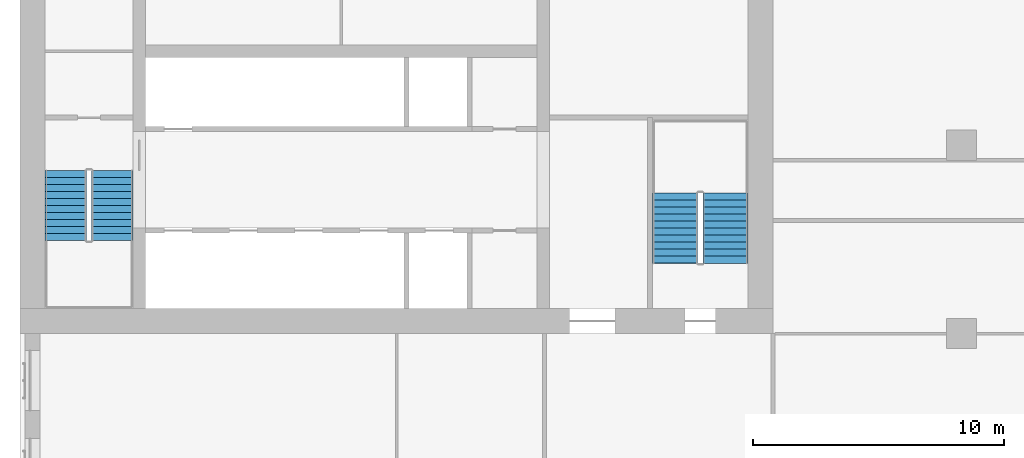
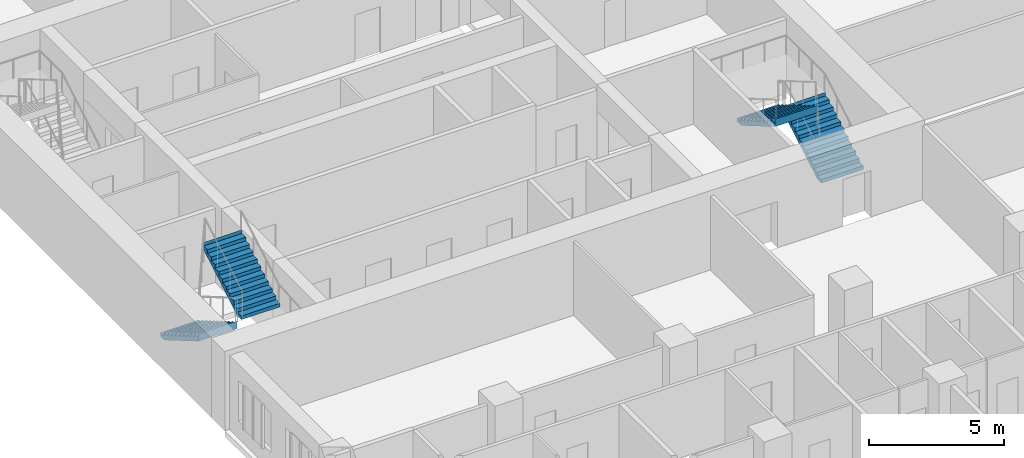
# One storey, part 13 of 15: 4 stair flights, 2 elements without a shape of their own.
"""IFC4 building model written with IfcOpenShell, lengths in metres."""

from ifc_helpers import new_model, si_unit, direction, frame, origin, place, context, subcontext, project, spatial, polyline, outline, extrude, material, type_object, element, aggregate, save


model = new_model("IFC4")

# Units and contexts
model_context = context("Model", 3, precision=1e-05, world=origin(), true_north=direction((0.0, 1.0)))
body_context = subcontext(model_context, "Body", "Model", "MODEL_VIEW")
ifc_project = project(units=[si_unit("LENGTHUNIT", "METRE"), si_unit("AREAUNIT", "SQUARE_METRE"), si_unit("VOLUMEUNIT", "CUBIC_METRE"), si_unit("PLANEANGLEUNIT", "RADIAN"), si_unit("MASSUNIT", "GRAM", prefix="KILO")], contexts=[model_context])

# Site, building, storey
site_placement = place(None, origin())
site = spatial("IfcSite", under=ifc_project, at=site_placement, CompositionType="ELEMENT")
building_placement = place(site_placement, origin())
building = spatial("IfcBuilding", under=site, at=building_placement, Name="Tamorin Gate", CompositionType="ELEMENT")
storey_placement = place(building_placement, frame((0.0, 0.0, 48.39990234375)))
storey = spatial("IfcBuildingStorey", under=building, at=storey_placement, Name="L10", CompositionType="ELEMENT", Elevation=48.39990234375)

# Stair, stair flights
ifc_material = material(Name="Concrete C40/50", Category="concrete")
stair_type = type_object("IfcStairType", Name="Exit stair", PredefinedType="HALF_TURN_STAIR", material=ifc_material)
stair_1_placement = place(storey_placement, origin())
stair_1 = element("IfcStair", 1, at=stair_1_placement, inside=storey, type_object=stair_type, Name="L10 stair ST1", PredefinedType="HALF_TURN_STAIR")
stair_flight_type = type_object("IfcStairFlightType", Name="Exit stair flight", PredefinedType="STRAIGHT", material=ifc_material)
stair_flight_1_placement = place(storey_placement, frame((31.824951171875, 66.5, 0.0), z_axis=(0.0, 0.0, 1.0), x_axis=(0.0, -1.0, 0.0)))
stair_flight_1 = element("IfcStairFlight", 2, at=stair_flight_1_placement, type_object=stair_flight_type, Name="ST1 flight 1", NumberOfRisers=11, NumberOfTreads=10, PredefinedType="STRAIGHT", RiserHeight=0.163636364, TreadLength=0.28, context=body_context, shape_type="SweptSolid", body=[
    extrude(outline(polyline([(-0.00048828125, 0.0), (-0.00048828125, 0.001708984375), (-0.00048828125, 0.003173828125), (-0.00048828125, 0.0048828125), (-0.00048828125, 0.006591796875), (-0.00048828125, 0.008056640625), (-0.00048828125, 0.009765625), (-0.00048828125, 0.01123046875), (-0.00048828125, 0.012939453125), (-0.00048828125, 0.0146484375), (-0.00048828125, 0.01611328125), (-0.00048828125, 0.017822265625), (-0.00048828125, 0.01953125), (-0.00048828125, 0.02099609375), (-0.00048828125, 0.022705078125), (-0.00048828125, 0.0244140625), (-0.00048828125, 0.02587890625), (-0.00048828125, 0.027587890625), (-0.00048828125, 0.029052734375), (-0.00048828125, 0.03076171875), (-0.00048828125, 0.032470703125), (-0.00048828125, 0.033935546875), (-0.00048828125, 0.03564453125), (-0.00048828125, 0.037353515625), (-0.00048828125, 0.038818359375), (-0.00048828125, 0.04052734375), (-0.00048828125, 0.042236328125), (-0.00048828125, 0.043701171875), (-0.00048828125, 0.04541015625), (-0.00048828125, 0.046875), (-0.00048828125, 0.048583984375), (-0.00048828125, 0.05029296875), (-0.00048828125, 0.0517578125), (-0.00048828125, 0.053466796875), (-0.00048828125, 0.05517578125), (-0.00048828125, 0.056640625), (-0.00048828125, 0.058349609375), (-0.00048828125, 0.06005859375), (-0.00048828125, 0.0615234375), (-0.00048828125, 0.063232421875), (-0.00048828125, 0.064697265625), (-0.00048828125, 0.06640625), (-0.00048828125, 0.068115234375), (-0.00048828125, 0.069580078125), (-0.00048828125, 0.0712890625), (-0.00048828125, 0.072998046875), (-0.00048828125, 0.074462890625), (-0.00048828125, 0.076171875), (-0.00048828125, 0.077880859375), (-0.00048828125, 0.079345703125), (-0.00048828125, 0.0810546875), (-0.00048828125, 0.08251953125), (-0.00048828125, 0.084228515625), (-0.00048828125, 0.0859375), (-0.00048828125, 0.08740234375), (-0.00048828125, 0.089111328125), (-0.00048828125, 0.0908203125), (-0.00048828125, 0.09228515625), (-0.00048828125, 0.093994140625), (-0.00048828125, 0.095703125), (-0.00048828125, 0.09716796875), (-0.00048828125, 0.098876953125), (-0.00048828125, 0.100341796875), (-0.00048828125, 0.10205078125), (-0.00048828125, 0.103759765625), (-0.00048828125, 0.105224609375), (-0.00048828125, 0.10693359375), (-0.00048828125, 0.108642578125), (-0.00048828125, 0.110107421875), (-0.00048828125, 0.11181640625), (-0.00048828125, 0.113525390625), (-0.00048828125, 0.114990234375), (-0.00048828125, 0.11669921875), (-0.00048828125, 0.1181640625), (-0.00048828125, 0.119873046875), (-0.00048828125, 0.12158203125), (-0.00048828125, 0.123046875), (-0.00048828125, 0.124755859375), (-0.00048828125, 0.12646484375), (-0.00048828125, 0.1279296875), (-0.00048828125, 0.129638671875), (-0.00048828125, 0.13134765625), (-0.00048828125, 0.1328125), (-0.00048828125, 0.134521484375), (-0.00048828125, 0.135986328125), (-0.00048828125, 0.1376953125), (-0.00048828125, 0.139404296875), (-0.00048828125, 0.140869140625), (-0.00048828125, 0.142578125), (-0.00048828125, 0.144287109375), (-0.00048828125, 0.145751953125), (-0.00048828125, 0.1474609375), (-0.00048828125, 0.149169921875), (-0.00048828125, 0.150634765625), (-0.00048828125, 0.15234375), (-0.00048828125, 0.15380859375), (-0.00048828125, 0.155517578125), (-0.00048828125, 0.1572265625), (-0.00048828125, 0.15869140625), (-0.00048828125, 0.160400390625), (-0.00048828125, 0.162109375), (-0.00048828125, 0.16357421875), (0.280029296875, 0.16357421875), (0.280029296875, 0.327392578125), (0.56005859375, 0.327392578125), (0.56005859375, 0.490966796875), (0.840087890625, 0.490966796875), (0.840087890625, 0.654541015625), (1.1201171875, 0.654541015625), (1.1201171875, 0.818115234375), (1.39990234375, 0.818115234375), (1.39990234375, 0.98193359375), (1.679931640625, 0.98193359375), (1.679931640625, 1.1455078125), (1.9599609375, 1.1455078125), (1.9599609375, 1.30908203125), (2.239990234375, 1.30908203125), (2.239990234375, 1.47265625), (2.52001953125, 1.47265625), (2.52001953125, 1.636474609375), (2.800048828125, 1.636474609375), (2.800048828125, 1.800048828125), (2.800537109375, 1.800048828125), (2.800537109375, 1.796630859375), (2.800537109375, 1.793212890625), (2.800537109375, 1.7900390625), (2.800537109375, 1.78662109375), (2.800537109375, 1.783203125), (2.800537109375, 1.780029296875), (2.800537109375, 1.776611328125), (2.800537109375, 1.773193359375), (2.800537109375, 1.77001953125), (2.800537109375, 1.7666015625), (2.800537109375, 1.76318359375), (2.800537109375, 1.760009765625), (2.800537109375, 1.756591796875), (2.800537109375, 1.753173828125), (2.800537109375, 1.75), (2.800537109375, 1.74658203125), (2.800537109375, 1.7431640625), (2.800537109375, 1.739990234375), (2.800537109375, 1.736572265625), (2.800537109375, 1.733154296875), (2.800537109375, 1.72998046875), (2.800537109375, 1.7265625), (2.800537109375, 1.72314453125), (2.800537109375, 1.719970703125), (2.800537109375, 1.716552734375), (2.800537109375, 1.713134765625), (2.800537109375, 1.7099609375), (2.800537109375, 1.70654296875), (2.800537109375, 1.703125), (2.800537109375, 1.69970703125), (2.800537109375, 1.696533203125), (2.800537109375, 1.693115234375), (2.800537109375, 1.689697265625), (2.800537109375, 1.6865234375), (2.800537109375, 1.68310546875), (2.800537109375, 1.6796875), (2.800537109375, 1.676513671875), (2.800537109375, 1.673095703125), (2.800537109375, 1.669677734375), (2.800537109375, 1.66650390625), (2.800537109375, 1.6630859375), (2.800537109375, 1.65966796875), (2.800537109375, 1.656494140625), (2.800537109375, 1.653076171875), (2.800537109375, 1.649658203125), (2.800537109375, 1.646484375), (2.800537109375, 1.64306640625), (2.800537109375, 1.6396484375), (2.800537109375, 1.636474609375), (2.800537109375, 1.633056640625), (2.800537109375, 1.629638671875), (2.800537109375, 1.62646484375), (2.800537109375, 1.623046875), (2.800537109375, 1.61962890625), (2.800537109375, 1.616455078125), (2.800537109375, 1.613037109375), (2.800537109375, 1.609619140625), (2.800537109375, 1.6064453125), (2.800537109375, 1.60302734375), (2.800537109375, 1.599609375), (2.800537109375, 1.59619140625), (2.800537109375, 1.593017578125), (2.800537109375, 1.589599609375), (2.800537109375, 1.586181640625), (2.800537109375, 1.5830078125), (2.800537109375, 1.57958984375), (2.800537109375, 1.576171875), (2.800537109375, 1.572998046875), (2.800537109375, 1.569580078125), (2.800537109375, 1.566162109375), (2.800537109375, 1.56298828125), (2.800537109375, 1.5595703125), (2.800537109375, 1.55615234375), (2.800537109375, 1.552978515625), (2.800537109375, 1.549560546875), (2.800537109375, 1.546142578125), (2.800537109375, 1.54296875), (2.800537109375, 1.53955078125), (2.800537109375, 1.5361328125), (2.800537109375, 1.532958984375), (2.800537109375, 1.529541015625), (2.800537109375, 1.526123046875), (2.800537109375, 1.52294921875), (2.800537109375, 1.51953125), (2.800537109375, 1.51611328125), (2.800537109375, 1.512939453125), (2.800537109375, 1.509521484375), (2.800537109375, 1.506103515625), (2.800537109375, 1.5029296875), (2.800537109375, 1.49951171875), (2.800537109375, 1.49609375), (2.800537109375, 1.49267578125), (2.800537109375, 1.489501953125), (2.800537109375, 1.486083984375), (2.800537109375, 1.482666015625), (2.800537109375, 1.4794921875), (2.800537109375, 1.47607421875), (2.800537109375, 1.47265625), (2.800537109375, 1.469482421875), (2.800537109375, 1.466064453125), (2.800537109375, 1.462646484375), (2.800048828125, 1.462646484375), (0.297119140625, 0.0), (-0.00048828125, 0.0)])), frame((0.0, 0.824951171875, 0.0), z_axis=(0.0, -1.0, 0.0), x_axis=(1.0, 0.0, 0.0)), (0.0, 0.0, 1.0), 1.64990234375),
])
stair_flight_2_placement = place(storey_placement, frame((33.675048828125, 63.699951171875, 1.800048828125), z_axis=(0.0, 0.0, 1.0), x_axis=(0.0, 1.0, 0.0)))
stair_flight_2 = element("IfcStairFlight", 3, at=stair_flight_2_placement, type_object=stair_flight_type, Name="ST1 flight 2", NumberOfRisers=11, NumberOfTreads=10, PredefinedType="STRAIGHT", RiserHeight=0.163636364, TreadLength=0.28, context=body_context, shape_type="SweptSolid", body=[
    extrude(outline(polyline([(-0.00048828125, 0.0), (-0.00048828125, 0.001708984375), (-0.00048828125, 0.003173828125), (-0.00048828125, 0.0048828125), (-0.00048828125, 0.006591796875), (-0.00048828125, 0.008056640625), (-0.00048828125, 0.009765625), (-0.00048828125, 0.01123046875), (-0.00048828125, 0.012939453125), (-0.00048828125, 0.0146484375), (-0.00048828125, 0.01611328125), (-0.00048828125, 0.017822265625), (-0.00048828125, 0.01953125), (-0.00048828125, 0.02099609375), (-0.00048828125, 0.022705078125), (-0.00048828125, 0.0244140625), (-0.00048828125, 0.02587890625), (-0.00048828125, 0.027587890625), (-0.00048828125, 0.029052734375), (-0.00048828125, 0.03076171875), (-0.00048828125, 0.032470703125), (-0.00048828125, 0.033935546875), (-0.00048828125, 0.03564453125), (-0.00048828125, 0.037353515625), (-0.00048828125, 0.038818359375), (-0.00048828125, 0.04052734375), (-0.00048828125, 0.042236328125), (-0.00048828125, 0.043701171875), (-0.00048828125, 0.04541015625), (-0.00048828125, 0.046875), (-0.00048828125, 0.048583984375), (-0.00048828125, 0.05029296875), (-0.00048828125, 0.0517578125), (-0.00048828125, 0.053466796875), (-0.00048828125, 0.05517578125), (-0.00048828125, 0.056640625), (-0.00048828125, 0.058349609375), (-0.00048828125, 0.06005859375), (-0.00048828125, 0.0615234375), (-0.00048828125, 0.063232421875), (-0.00048828125, 0.064697265625), (-0.00048828125, 0.06640625), (-0.00048828125, 0.068115234375), (-0.00048828125, 0.069580078125), (-0.00048828125, 0.0712890625), (-0.00048828125, 0.072998046875), (-0.00048828125, 0.074462890625), (-0.00048828125, 0.076171875), (-0.00048828125, 0.077880859375), (-0.00048828125, 0.079345703125), (-0.00048828125, 0.0810546875), (-0.00048828125, 0.08251953125), (-0.00048828125, 0.084228515625), (-0.00048828125, 0.0859375), (-0.00048828125, 0.08740234375), (-0.00048828125, 0.089111328125), (-0.00048828125, 0.0908203125), (-0.00048828125, 0.09228515625), (-0.00048828125, 0.093994140625), (-0.00048828125, 0.095703125), (-0.00048828125, 0.09716796875), (-0.00048828125, 0.098876953125), (-0.00048828125, 0.100341796875), (-0.00048828125, 0.10205078125), (-0.00048828125, 0.103759765625), (-0.00048828125, 0.105224609375), (-0.00048828125, 0.10693359375), (-0.00048828125, 0.108642578125), (-0.00048828125, 0.110107421875), (-0.00048828125, 0.11181640625), (-0.00048828125, 0.113525390625), (-0.00048828125, 0.114990234375), (-0.00048828125, 0.11669921875), (-0.00048828125, 0.1181640625), (-0.00048828125, 0.119873046875), (-0.00048828125, 0.12158203125), (-0.00048828125, 0.123046875), (-0.00048828125, 0.124755859375), (-0.00048828125, 0.12646484375), (-0.00048828125, 0.1279296875), (-0.00048828125, 0.129638671875), (-0.00048828125, 0.13134765625), (-0.00048828125, 0.1328125), (-0.00048828125, 0.134521484375), (-0.00048828125, 0.135986328125), (-0.00048828125, 0.1376953125), (-0.00048828125, 0.139404296875), (-0.00048828125, 0.140869140625), (-0.00048828125, 0.142578125), (-0.00048828125, 0.144287109375), (-0.00048828125, 0.145751953125), (-0.00048828125, 0.1474609375), (-0.00048828125, 0.149169921875), (-0.00048828125, 0.150634765625), (-0.00048828125, 0.15234375), (-0.00048828125, 0.15380859375), (-0.00048828125, 0.155517578125), (-0.00048828125, 0.1572265625), (-0.00048828125, 0.15869140625), (-0.00048828125, 0.160400390625), (-0.00048828125, 0.162109375), (-0.00048828125, 0.16357421875), (0.280029296875, 0.16357421875), (0.280029296875, 0.327392578125), (0.56005859375, 0.327392578125), (0.56005859375, 0.490966796875), (0.840087890625, 0.490966796875), (0.840087890625, 0.654541015625), (1.1201171875, 0.654541015625), (1.1201171875, 0.818115234375), (1.39990234375, 0.818115234375), (1.39990234375, 0.98193359375), (1.679931640625, 0.98193359375), (1.679931640625, 1.1455078125), (1.9599609375, 1.1455078125), (1.9599609375, 1.30908203125), (2.239990234375, 1.30908203125), (2.239990234375, 1.47265625), (2.52001953125, 1.47265625), (2.52001953125, 1.636474609375), (2.800048828125, 1.636474609375), (2.800048828125, 1.800048828125), (2.800537109375, 1.800048828125), (2.800537109375, 1.796630859375), (2.800537109375, 1.793212890625), (2.800537109375, 1.7900390625), (2.800537109375, 1.78662109375), (2.800537109375, 1.783203125), (2.800537109375, 1.780029296875), (2.800537109375, 1.776611328125), (2.800537109375, 1.773193359375), (2.800537109375, 1.77001953125), (2.800537109375, 1.7666015625), (2.800537109375, 1.76318359375), (2.800537109375, 1.760009765625), (2.800537109375, 1.756591796875), (2.800537109375, 1.753173828125), (2.800537109375, 1.75), (2.800537109375, 1.74658203125), (2.800537109375, 1.7431640625), (2.800537109375, 1.739990234375), (2.800537109375, 1.736572265625), (2.800537109375, 1.733154296875), (2.800537109375, 1.72998046875), (2.800537109375, 1.7265625), (2.800537109375, 1.72314453125), (2.800537109375, 1.719970703125), (2.800537109375, 1.716552734375), (2.800537109375, 1.713134765625), (2.800537109375, 1.7099609375), (2.800537109375, 1.70654296875), (2.800537109375, 1.703125), (2.800537109375, 1.69970703125), (2.800537109375, 1.696533203125), (2.800537109375, 1.693115234375), (2.800537109375, 1.689697265625), (2.800537109375, 1.6865234375), (2.800537109375, 1.68310546875), (2.800537109375, 1.6796875), (2.800537109375, 1.676513671875), (2.800537109375, 1.673095703125), (2.800537109375, 1.669677734375), (2.800537109375, 1.66650390625), (2.800537109375, 1.6630859375), (2.800537109375, 1.65966796875), (2.800537109375, 1.656494140625), (2.800537109375, 1.653076171875), (2.800537109375, 1.649658203125), (2.800537109375, 1.646484375), (2.800537109375, 1.64306640625), (2.800537109375, 1.6396484375), (2.800537109375, 1.636474609375), (2.800537109375, 1.633056640625), (2.800537109375, 1.629638671875), (2.800537109375, 1.62646484375), (2.800537109375, 1.623046875), (2.800537109375, 1.61962890625), (2.800537109375, 1.616455078125), (2.800537109375, 1.613037109375), (2.800537109375, 1.609619140625), (2.800537109375, 1.6064453125), (2.800537109375, 1.60302734375), (2.800537109375, 1.599609375), (2.800537109375, 1.59619140625), (2.800537109375, 1.593017578125), (2.800537109375, 1.589599609375), (2.800537109375, 1.586181640625), (2.800537109375, 1.5830078125), (2.800537109375, 1.57958984375), (2.800537109375, 1.576171875), (2.800537109375, 1.572998046875), (2.800537109375, 1.569580078125), (2.800537109375, 1.566162109375), (2.800537109375, 1.56298828125), (2.800537109375, 1.5595703125), (2.800537109375, 1.55615234375), (2.800537109375, 1.552978515625), (2.800537109375, 1.549560546875), (2.800537109375, 1.546142578125), (2.800537109375, 1.54296875), (2.800537109375, 1.53955078125), (2.800537109375, 1.5361328125), (2.800537109375, 1.532958984375), (2.800537109375, 1.529541015625), (2.800537109375, 1.526123046875), (2.800537109375, 1.52294921875), (2.800537109375, 1.51953125), (2.800537109375, 1.51611328125), (2.800537109375, 1.512939453125), (2.800537109375, 1.509521484375), (2.800537109375, 1.506103515625), (2.800537109375, 1.5029296875), (2.800537109375, 1.49951171875), (2.800537109375, 1.49609375), (2.800537109375, 1.49267578125), (2.800537109375, 1.489501953125), (2.800537109375, 1.486083984375), (2.800537109375, 1.482666015625), (2.800537109375, 1.4794921875), (2.800537109375, 1.47607421875), (2.800537109375, 1.47265625), (2.800537109375, 1.469482421875), (2.800537109375, 1.466064453125), (2.800537109375, 1.462646484375), (2.800048828125, 1.462646484375), (0.297119140625, 0.0), (-0.00048828125, 0.0)])), frame((0.0, 0.824951171875, 0.0), z_axis=(0.0, -1.0, 0.0), x_axis=(1.0, 0.0, 0.0)), (0.0, 0.0, 1.0), 1.64990234375),
])
aggregate(stair_1, [stair_flight_1, stair_flight_2])

stair_2_placement = place(storey_placement, origin())
stair_2 = element("IfcStair", 4, at=stair_2_placement, inside=storey, type_object=stair_type, Name="L10 stair ST3", PredefinedType="HALF_TURN_STAIR")
stair_flight_3_placement = place(storey_placement, frame((58.10009765625, 62.800048828125, 0.0), z_axis=(0.0, 0.0, 1.0), x_axis=(0.0, 1.0, 0.0)))
stair_flight_3 = element("IfcStairFlight", 5, at=stair_flight_3_placement, type_object=stair_flight_type, Name="ST3 flight 1", NumberOfRisers=11, NumberOfTreads=10, PredefinedType="STRAIGHT", RiserHeight=0.163636364, TreadLength=0.28, context=body_context, shape_type="SweptSolid", body=[
    extrude(outline(polyline([(-0.00048828125, 0.0), (-0.00048828125, 0.001708984375), (-0.00048828125, 0.003173828125), (-0.00048828125, 0.0048828125), (-0.00048828125, 0.006591796875), (-0.00048828125, 0.008056640625), (-0.00048828125, 0.009765625), (-0.00048828125, 0.01123046875), (-0.00048828125, 0.012939453125), (-0.00048828125, 0.0146484375), (-0.00048828125, 0.01611328125), (-0.00048828125, 0.017822265625), (-0.00048828125, 0.01953125), (-0.00048828125, 0.02099609375), (-0.00048828125, 0.022705078125), (-0.00048828125, 0.0244140625), (-0.00048828125, 0.02587890625), (-0.00048828125, 0.027587890625), (-0.00048828125, 0.029052734375), (-0.00048828125, 0.03076171875), (-0.00048828125, 0.032470703125), (-0.00048828125, 0.033935546875), (-0.00048828125, 0.03564453125), (-0.00048828125, 0.037353515625), (-0.00048828125, 0.038818359375), (-0.00048828125, 0.04052734375), (-0.00048828125, 0.042236328125), (-0.00048828125, 0.043701171875), (-0.00048828125, 0.04541015625), (-0.00048828125, 0.046875), (-0.00048828125, 0.048583984375), (-0.00048828125, 0.05029296875), (-0.00048828125, 0.0517578125), (-0.00048828125, 0.053466796875), (-0.00048828125, 0.05517578125), (-0.00048828125, 0.056640625), (-0.00048828125, 0.058349609375), (-0.00048828125, 0.06005859375), (-0.00048828125, 0.0615234375), (-0.00048828125, 0.063232421875), (-0.00048828125, 0.064697265625), (-0.00048828125, 0.06640625), (-0.00048828125, 0.068115234375), (-0.00048828125, 0.069580078125), (-0.00048828125, 0.0712890625), (-0.00048828125, 0.072998046875), (-0.00048828125, 0.074462890625), (-0.00048828125, 0.076171875), (-0.00048828125, 0.077880859375), (-0.00048828125, 0.079345703125), (-0.00048828125, 0.0810546875), (-0.00048828125, 0.08251953125), (-0.00048828125, 0.084228515625), (-0.00048828125, 0.0859375), (-0.00048828125, 0.08740234375), (-0.00048828125, 0.089111328125), (-0.00048828125, 0.0908203125), (-0.00048828125, 0.09228515625), (-0.00048828125, 0.093994140625), (-0.00048828125, 0.095703125), (-0.00048828125, 0.09716796875), (-0.00048828125, 0.098876953125), (-0.00048828125, 0.100341796875), (-0.00048828125, 0.10205078125), (-0.00048828125, 0.103759765625), (-0.00048828125, 0.105224609375), (-0.00048828125, 0.10693359375), (-0.00048828125, 0.108642578125), (-0.00048828125, 0.110107421875), (-0.00048828125, 0.11181640625), (-0.00048828125, 0.113525390625), (-0.00048828125, 0.114990234375), (-0.00048828125, 0.11669921875), (-0.00048828125, 0.1181640625), (-0.00048828125, 0.119873046875), (-0.00048828125, 0.12158203125), (-0.00048828125, 0.123046875), (-0.00048828125, 0.124755859375), (-0.00048828125, 0.12646484375), (-0.00048828125, 0.1279296875), (-0.00048828125, 0.129638671875), (-0.00048828125, 0.13134765625), (-0.00048828125, 0.1328125), (-0.00048828125, 0.134521484375), (-0.00048828125, 0.135986328125), (-0.00048828125, 0.1376953125), (-0.00048828125, 0.139404296875), (-0.00048828125, 0.140869140625), (-0.00048828125, 0.142578125), (-0.00048828125, 0.144287109375), (-0.00048828125, 0.145751953125), (-0.00048828125, 0.1474609375), (-0.00048828125, 0.149169921875), (-0.00048828125, 0.150634765625), (-0.00048828125, 0.15234375), (-0.00048828125, 0.15380859375), (-0.00048828125, 0.155517578125), (-0.00048828125, 0.1572265625), (-0.00048828125, 0.15869140625), (-0.00048828125, 0.160400390625), (-0.00048828125, 0.162109375), (-0.00048828125, 0.16357421875), (0.280029296875, 0.16357421875), (0.280029296875, 0.327392578125), (0.56005859375, 0.327392578125), (0.56005859375, 0.490966796875), (0.840087890625, 0.490966796875), (0.840087890625, 0.654541015625), (1.1201171875, 0.654541015625), (1.1201171875, 0.818115234375), (1.39990234375, 0.818115234375), (1.39990234375, 0.98193359375), (1.679931640625, 0.98193359375), (1.679931640625, 1.1455078125), (1.9599609375, 1.1455078125), (1.9599609375, 1.30908203125), (2.239990234375, 1.30908203125), (2.239990234375, 1.47265625), (2.52001953125, 1.47265625), (2.52001953125, 1.636474609375), (2.800048828125, 1.636474609375), (2.800048828125, 1.800048828125), (2.800537109375, 1.800048828125), (2.800537109375, 1.796630859375), (2.800537109375, 1.793212890625), (2.800537109375, 1.7900390625), (2.800537109375, 1.78662109375), (2.800537109375, 1.783203125), (2.800537109375, 1.780029296875), (2.800537109375, 1.776611328125), (2.800537109375, 1.773193359375), (2.800537109375, 1.77001953125), (2.800537109375, 1.7666015625), (2.800537109375, 1.76318359375), (2.800537109375, 1.760009765625), (2.800537109375, 1.756591796875), (2.800537109375, 1.753173828125), (2.800537109375, 1.75), (2.800537109375, 1.74658203125), (2.800537109375, 1.7431640625), (2.800537109375, 1.739990234375), (2.800537109375, 1.736572265625), (2.800537109375, 1.733154296875), (2.800537109375, 1.72998046875), (2.800537109375, 1.7265625), (2.800537109375, 1.72314453125), (2.800537109375, 1.719970703125), (2.800537109375, 1.716552734375), (2.800537109375, 1.713134765625), (2.800537109375, 1.7099609375), (2.800537109375, 1.70654296875), (2.800537109375, 1.703125), (2.800537109375, 1.69970703125), (2.800537109375, 1.696533203125), (2.800537109375, 1.693115234375), (2.800537109375, 1.689697265625), (2.800537109375, 1.6865234375), (2.800537109375, 1.68310546875), (2.800537109375, 1.6796875), (2.800537109375, 1.676513671875), (2.800537109375, 1.673095703125), (2.800537109375, 1.669677734375), (2.800537109375, 1.66650390625), (2.800537109375, 1.6630859375), (2.800537109375, 1.65966796875), (2.800537109375, 1.656494140625), (2.800537109375, 1.653076171875), (2.800537109375, 1.649658203125), (2.800537109375, 1.646484375), (2.800537109375, 1.64306640625), (2.800537109375, 1.6396484375), (2.800537109375, 1.636474609375), (2.800537109375, 1.633056640625), (2.800537109375, 1.629638671875), (2.800537109375, 1.62646484375), (2.800537109375, 1.623046875), (2.800537109375, 1.61962890625), (2.800537109375, 1.616455078125), (2.800537109375, 1.613037109375), (2.800537109375, 1.609619140625), (2.800537109375, 1.6064453125), (2.800537109375, 1.60302734375), (2.800537109375, 1.599609375), (2.800537109375, 1.59619140625), (2.800537109375, 1.593017578125), (2.800537109375, 1.589599609375), (2.800537109375, 1.586181640625), (2.800537109375, 1.5830078125), (2.800537109375, 1.57958984375), (2.800537109375, 1.576171875), (2.800537109375, 1.572998046875), (2.800537109375, 1.569580078125), (2.800537109375, 1.566162109375), (2.800537109375, 1.56298828125), (2.800537109375, 1.5595703125), (2.800537109375, 1.55615234375), (2.800537109375, 1.552978515625), (2.800537109375, 1.549560546875), (2.800537109375, 1.546142578125), (2.800537109375, 1.54296875), (2.800537109375, 1.53955078125), (2.800537109375, 1.5361328125), (2.800537109375, 1.532958984375), (2.800537109375, 1.529541015625), (2.800537109375, 1.526123046875), (2.800537109375, 1.52294921875), (2.800537109375, 1.51953125), (2.800537109375, 1.51611328125), (2.800537109375, 1.512939453125), (2.800537109375, 1.509521484375), (2.800537109375, 1.506103515625), (2.800537109375, 1.5029296875), (2.800537109375, 1.49951171875), (2.800537109375, 1.49609375), (2.800537109375, 1.49267578125), (2.800537109375, 1.489501953125), (2.800537109375, 1.486083984375), (2.800537109375, 1.482666015625), (2.800537109375, 1.4794921875), (2.800537109375, 1.47607421875), (2.800537109375, 1.47265625), (2.800537109375, 1.469482421875), (2.800537109375, 1.466064453125), (2.800537109375, 1.462646484375), (2.800048828125, 1.462646484375), (0.297119140625, 0.0), (-0.00048828125, 0.0)])), frame((0.0, 0.89990234375, 0.0), z_axis=(0.0, -1.0, 0.0), x_axis=(1.0, 0.0, 0.0)), (0.0, 0.0, 1.0), 1.800048828125),
])
stair_flight_4_placement = place(storey_placement, frame((56.10009765625, 65.60009765625, 1.800048828125), z_axis=(0.0, 0.0, 1.0), x_axis=(0.0, -1.0, 0.0)))
stair_flight_4 = element("IfcStairFlight", 6, at=stair_flight_4_placement, type_object=stair_flight_type, Name="ST3 flight 2", NumberOfRisers=11, NumberOfTreads=10, PredefinedType="STRAIGHT", RiserHeight=0.163636364, TreadLength=0.28, context=body_context, shape_type="SweptSolid", body=[
    extrude(outline(polyline([(-0.00048828125, 0.0), (-0.00048828125, 0.001708984375), (-0.00048828125, 0.003173828125), (-0.00048828125, 0.0048828125), (-0.00048828125, 0.006591796875), (-0.00048828125, 0.008056640625), (-0.00048828125, 0.009765625), (-0.00048828125, 0.01123046875), (-0.00048828125, 0.012939453125), (-0.00048828125, 0.0146484375), (-0.00048828125, 0.01611328125), (-0.00048828125, 0.017822265625), (-0.00048828125, 0.01953125), (-0.00048828125, 0.02099609375), (-0.00048828125, 0.022705078125), (-0.00048828125, 0.0244140625), (-0.00048828125, 0.02587890625), (-0.00048828125, 0.027587890625), (-0.00048828125, 0.029052734375), (-0.00048828125, 0.03076171875), (-0.00048828125, 0.032470703125), (-0.00048828125, 0.033935546875), (-0.00048828125, 0.03564453125), (-0.00048828125, 0.037353515625), (-0.00048828125, 0.038818359375), (-0.00048828125, 0.04052734375), (-0.00048828125, 0.042236328125), (-0.00048828125, 0.043701171875), (-0.00048828125, 0.04541015625), (-0.00048828125, 0.046875), (-0.00048828125, 0.048583984375), (-0.00048828125, 0.05029296875), (-0.00048828125, 0.0517578125), (-0.00048828125, 0.053466796875), (-0.00048828125, 0.05517578125), (-0.00048828125, 0.056640625), (-0.00048828125, 0.058349609375), (-0.00048828125, 0.06005859375), (-0.00048828125, 0.0615234375), (-0.00048828125, 0.063232421875), (-0.00048828125, 0.064697265625), (-0.00048828125, 0.06640625), (-0.00048828125, 0.068115234375), (-0.00048828125, 0.069580078125), (-0.00048828125, 0.0712890625), (-0.00048828125, 0.072998046875), (-0.00048828125, 0.074462890625), (-0.00048828125, 0.076171875), (-0.00048828125, 0.077880859375), (-0.00048828125, 0.079345703125), (-0.00048828125, 0.0810546875), (-0.00048828125, 0.08251953125), (-0.00048828125, 0.084228515625), (-0.00048828125, 0.0859375), (-0.00048828125, 0.08740234375), (-0.00048828125, 0.089111328125), (-0.00048828125, 0.0908203125), (-0.00048828125, 0.09228515625), (-0.00048828125, 0.093994140625), (-0.00048828125, 0.095703125), (-0.00048828125, 0.09716796875), (-0.00048828125, 0.098876953125), (-0.00048828125, 0.100341796875), (-0.00048828125, 0.10205078125), (-0.00048828125, 0.103759765625), (-0.00048828125, 0.105224609375), (-0.00048828125, 0.10693359375), (-0.00048828125, 0.108642578125), (-0.00048828125, 0.110107421875), (-0.00048828125, 0.11181640625), (-0.00048828125, 0.113525390625), (-0.00048828125, 0.114990234375), (-0.00048828125, 0.11669921875), (-0.00048828125, 0.1181640625), (-0.00048828125, 0.119873046875), (-0.00048828125, 0.12158203125), (-0.00048828125, 0.123046875), (-0.00048828125, 0.124755859375), (-0.00048828125, 0.12646484375), (-0.00048828125, 0.1279296875), (-0.00048828125, 0.129638671875), (-0.00048828125, 0.13134765625), (-0.00048828125, 0.1328125), (-0.00048828125, 0.134521484375), (-0.00048828125, 0.135986328125), (-0.00048828125, 0.1376953125), (-0.00048828125, 0.139404296875), (-0.00048828125, 0.140869140625), (-0.00048828125, 0.142578125), (-0.00048828125, 0.144287109375), (-0.00048828125, 0.145751953125), (-0.00048828125, 0.1474609375), (-0.00048828125, 0.149169921875), (-0.00048828125, 0.150634765625), (-0.00048828125, 0.15234375), (-0.00048828125, 0.15380859375), (-0.00048828125, 0.155517578125), (-0.00048828125, 0.1572265625), (-0.00048828125, 0.15869140625), (-0.00048828125, 0.160400390625), (-0.00048828125, 0.162109375), (-0.00048828125, 0.16357421875), (0.280029296875, 0.16357421875), (0.280029296875, 0.327392578125), (0.56005859375, 0.327392578125), (0.56005859375, 0.490966796875), (0.840087890625, 0.490966796875), (0.840087890625, 0.654541015625), (1.1201171875, 0.654541015625), (1.1201171875, 0.818115234375), (1.39990234375, 0.818115234375), (1.39990234375, 0.98193359375), (1.679931640625, 0.98193359375), (1.679931640625, 1.1455078125), (1.9599609375, 1.1455078125), (1.9599609375, 1.30908203125), (2.239990234375, 1.30908203125), (2.239990234375, 1.47265625), (2.52001953125, 1.47265625), (2.52001953125, 1.636474609375), (2.800048828125, 1.636474609375), (2.800048828125, 1.800048828125), (2.800537109375, 1.800048828125), (2.800537109375, 1.796630859375), (2.800537109375, 1.793212890625), (2.800537109375, 1.7900390625), (2.800537109375, 1.78662109375), (2.800537109375, 1.783203125), (2.800537109375, 1.780029296875), (2.800537109375, 1.776611328125), (2.800537109375, 1.773193359375), (2.800537109375, 1.77001953125), (2.800537109375, 1.7666015625), (2.800537109375, 1.76318359375), (2.800537109375, 1.760009765625), (2.800537109375, 1.756591796875), (2.800537109375, 1.753173828125), (2.800537109375, 1.75), (2.800537109375, 1.74658203125), (2.800537109375, 1.7431640625), (2.800537109375, 1.739990234375), (2.800537109375, 1.736572265625), (2.800537109375, 1.733154296875), (2.800537109375, 1.72998046875), (2.800537109375, 1.7265625), (2.800537109375, 1.72314453125), (2.800537109375, 1.719970703125), (2.800537109375, 1.716552734375), (2.800537109375, 1.713134765625), (2.800537109375, 1.7099609375), (2.800537109375, 1.70654296875), (2.800537109375, 1.703125), (2.800537109375, 1.69970703125), (2.800537109375, 1.696533203125), (2.800537109375, 1.693115234375), (2.800537109375, 1.689697265625), (2.800537109375, 1.6865234375), (2.800537109375, 1.68310546875), (2.800537109375, 1.6796875), (2.800537109375, 1.676513671875), (2.800537109375, 1.673095703125), (2.800537109375, 1.669677734375), (2.800537109375, 1.66650390625), (2.800537109375, 1.6630859375), (2.800537109375, 1.65966796875), (2.800537109375, 1.656494140625), (2.800537109375, 1.653076171875), (2.800537109375, 1.649658203125), (2.800537109375, 1.646484375), (2.800537109375, 1.64306640625), (2.800537109375, 1.6396484375), (2.800537109375, 1.636474609375), (2.800537109375, 1.633056640625), (2.800537109375, 1.629638671875), (2.800537109375, 1.62646484375), (2.800537109375, 1.623046875), (2.800537109375, 1.61962890625), (2.800537109375, 1.616455078125), (2.800537109375, 1.613037109375), (2.800537109375, 1.609619140625), (2.800537109375, 1.6064453125), (2.800537109375, 1.60302734375), (2.800537109375, 1.599609375), (2.800537109375, 1.59619140625), (2.800537109375, 1.593017578125), (2.800537109375, 1.589599609375), (2.800537109375, 1.586181640625), (2.800537109375, 1.5830078125), (2.800537109375, 1.57958984375), (2.800537109375, 1.576171875), (2.800537109375, 1.572998046875), (2.800537109375, 1.569580078125), (2.800537109375, 1.566162109375), (2.800537109375, 1.56298828125), (2.800537109375, 1.5595703125), (2.800537109375, 1.55615234375), (2.800537109375, 1.552978515625), (2.800537109375, 1.549560546875), (2.800537109375, 1.546142578125), (2.800537109375, 1.54296875), (2.800537109375, 1.53955078125), (2.800537109375, 1.5361328125), (2.800537109375, 1.532958984375), (2.800537109375, 1.529541015625), (2.800537109375, 1.526123046875), (2.800537109375, 1.52294921875), (2.800537109375, 1.51953125), (2.800537109375, 1.51611328125), (2.800537109375, 1.512939453125), (2.800537109375, 1.509521484375), (2.800537109375, 1.506103515625), (2.800537109375, 1.5029296875), (2.800537109375, 1.49951171875), (2.800537109375, 1.49609375), (2.800537109375, 1.49267578125), (2.800537109375, 1.489501953125), (2.800537109375, 1.486083984375), (2.800537109375, 1.482666015625), (2.800537109375, 1.4794921875), (2.800537109375, 1.47607421875), (2.800537109375, 1.47265625), (2.800537109375, 1.469482421875), (2.800537109375, 1.466064453125), (2.800537109375, 1.462646484375), (2.800048828125, 1.462646484375), (0.297119140625, 0.0), (-0.00048828125, 0.0)])), frame((0.0, 0.89990234375, 0.0), z_axis=(0.0, -1.0, 0.0), x_axis=(1.0, 0.0, 0.0)), (0.0, 0.0, 1.0), 1.800048828125),
])
aggregate(stair_2, [stair_flight_3, stair_flight_4])

save(model, "model.ifc")
